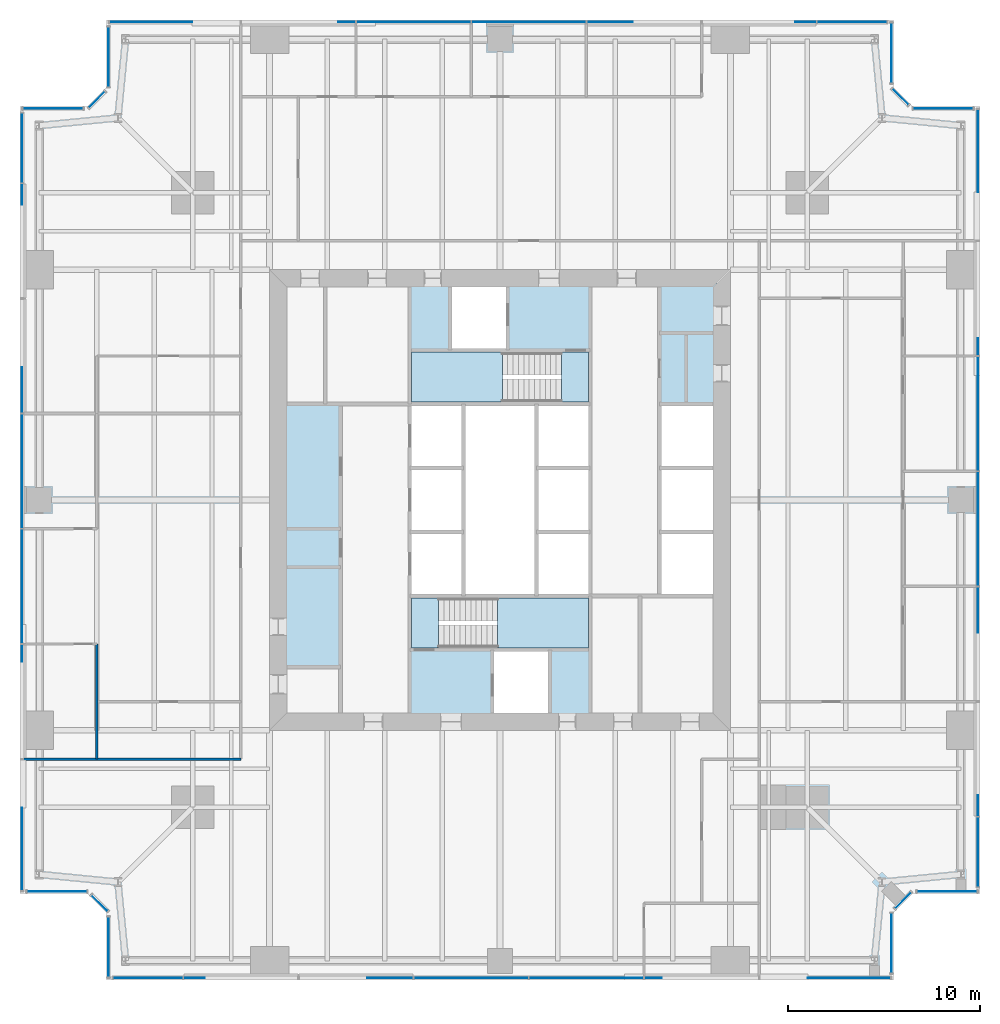
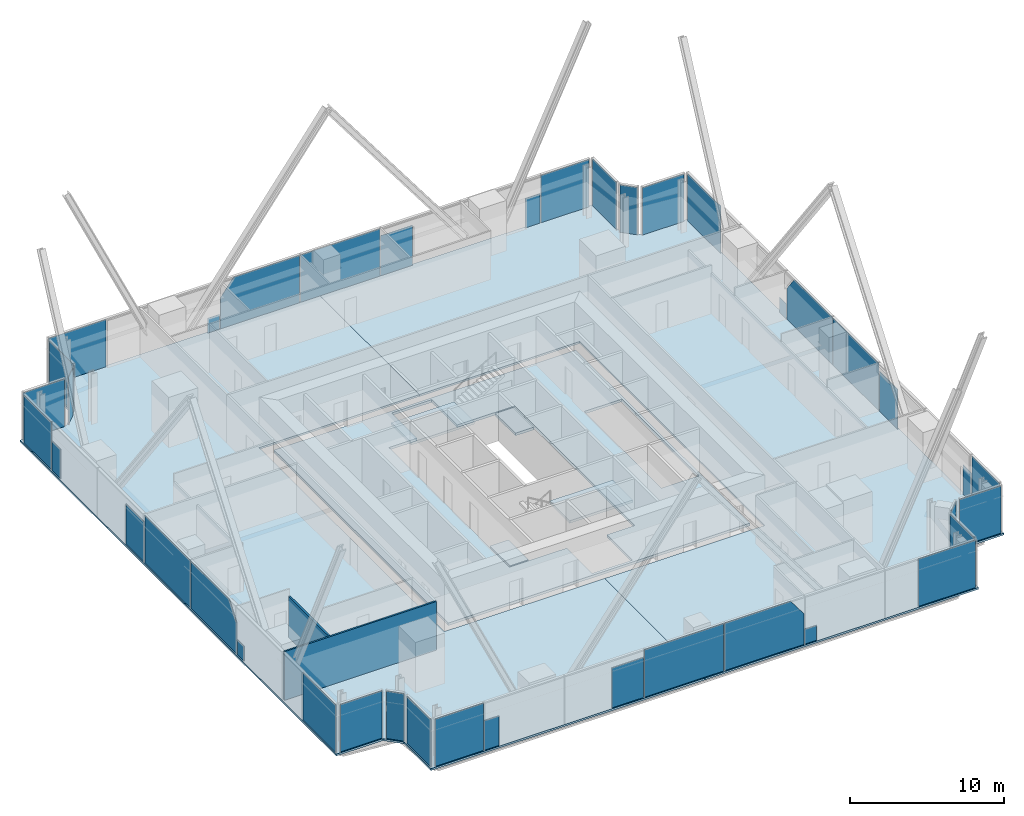
# One storey, part 8 of 14: 40 plates, 7 slabs, 2 walls, 18 elements without a shape of their own.
"""IFC4 building model written with IfcOpenShell, lengths in metres."""

from ifc_helpers import new_model, si_unit, direction, frame, frame_2d, origin, origin_2d, place, context, subcontext, project, spatial, polyline, rectangle, outline, extrude, material, layer, layer_set, type_object, element, aggregate, save


model = new_model("IFC4")

# Units and contexts
model_context = context("Model", 3, precision=1e-05, world=origin(), true_north=direction((0.0, 1.0)))
body_context = subcontext(model_context, "Body", "Model", "MODEL_VIEW")
ifc_project = project(units=[si_unit("LENGTHUNIT", "METRE"), si_unit("AREAUNIT", "SQUARE_METRE"), si_unit("VOLUMEUNIT", "CUBIC_METRE"), si_unit("PLANEANGLEUNIT", "RADIAN"), si_unit("MASSUNIT", "GRAM", prefix="KILO")], contexts=[model_context])

# Site, building, storey
site_placement = place(None, origin())
site = spatial("IfcSite", under=ifc_project, at=site_placement, CompositionType="ELEMENT")
building_placement = place(site_placement, origin())
building = spatial("IfcBuilding", under=site, at=building_placement, Name="Fenwick Lantern Interchange", CompositionType="ELEMENT")
storey_placement = place(building_placement, frame((0.0, 0.0, 130.39990234375)))
storey = spatial("IfcBuildingStorey", under=building, at=storey_placement, Name="L30", CompositionType="ELEMENT", Elevation=130.39990234375)

# Slabs
ifc_material_1 = material(Name="Concrete f'c 35 MPa", Category="concrete")
ifc_layer_1 = layer(ifc_material_1, 0.199951171875)
ifc_layer_set_1 = layer_set([ifc_layer_1], Name="CORE FLOOR SLAB 200")
slab_type_1 = type_object("IfcSlabType", Name="CORE FLOOR SLAB 200", PredefinedType="FLOOR", material=ifc_layer_set_1)
slab_1_placement = place(storey_placement, frame((0.0, 0.0, -0.199951171875)))
element("IfcSlab", 1, at=slab_1_placement, inside=storey, type_object=slab_type_1, Name="L30/SLAB/CORE", PredefinedType="FLOOR", context=body_context, shape_type="SweptSolid", body=[
    extrude(outline(polyline([(13.699951171875, 36.300048828125), (36.300048828125, 36.300048828125), (36.300048828125, 13.699951171875), (13.699951171875, 13.699951171875), (13.699951171875, 36.300048828125)]), holes=[polyline([(29.699951171875, 17.199951171875), (29.699951171875, 20.0), (29.699951171875, 23.333251953125), (29.699951171875, 26.666748046875), (29.699951171875, 30.0), (29.699951171875, 32.800048828125), (25.39990234375, 32.800048828125), (25.39990234375, 36.10009765625), (22.39990234375, 36.10009765625), (22.39990234375, 32.800048828125), (20.300048828125, 32.800048828125), (20.300048828125, 30.0), (20.300048828125, 26.666748046875), (20.300048828125, 23.333251953125), (20.300048828125, 20.0), (20.300048828125, 17.199951171875), (24.60009765625, 17.199951171875), (24.60009765625, 13.89990234375), (27.60009765625, 13.89990234375), (27.60009765625, 17.199951171875), (29.699951171875, 17.199951171875)]), polyline([(33.300048828125, 23.333251953125), (33.300048828125, 20.0), (36.10009765625, 20.0), (36.10009765625, 23.333251953125), (36.10009765625, 26.666748046875), (36.10009765625, 30.0), (33.300048828125, 30.0), (33.300048828125, 26.666748046875), (33.300048828125, 23.333251953125)])]), origin(), (0.0, 0.0, 1.0), 0.199951171875),
])
ifc_material_2 = material(Name="Concrete f'c 35 MPa", Category="concrete")
ifc_layer_2 = layer(ifc_material_2, 0.14990234375)
ifc_layer_set_2 = layer_set([ifc_layer_2], Name="Concrete f'c 35 MPa")
slab_type_2 = type_object("IfcSlabType", Name="FLOOR SLAB 150", PredefinedType="FLOOR", material=ifc_layer_set_2)
slab_2_placement = place(storey_placement, frame((0.0, 0.0, -0.14990234375)))
element("IfcSlab", 2, at=slab_2_placement, inside=storey, type_object=slab_type_2, Name="L30/SLAB/FW", PredefinedType="FLOOR", context=body_context, shape_type="SweptSolid", body=[
    extrude(outline(polyline([(4.5, 0.0), (4.5, 3.5), (3.5, 4.5), (0.0, 4.5), (0.0, 45.5), (3.5, 45.5), (4.5, 46.5), (4.5, 50.0), (25.0, 50.0), (25.0, 37.0), (13.0, 37.0), (13.0, 13.0), (25.0, 13.0), (25.0, 0.0), (4.5, 0.0)])), origin(), (0.0, 0.0, 1.0), 0.14990234375),
])
slab_3_placement = place(storey_placement, frame((0.0, 0.0, -0.14990234375)))
element("IfcSlab", 3, at=slab_3_placement, inside=storey, type_object=slab_type_2, Name="L30/SLAB/FE", PredefinedType="FLOOR", context=body_context, shape_type="SweptSolid", body=[
    extrude(outline(polyline([(45.5, 50.0), (45.5, 46.5), (46.5, 45.5), (50.0, 45.5), (50.0, 4.5), (46.5, 4.5), (45.5, 3.5), (45.5, 0.0), (25.0, 0.0), (25.0, 13.0), (37.0, 13.0), (37.0, 37.0), (25.0, 37.0), (25.0, 50.0), (45.5, 50.0)])), origin(), (0.0, 0.0, 1.0), 0.14990234375),
])

# Curtain wall, plates
ifc_material_3 = material(Name="Aluminium curtain wall frame", Category="aluminium")
curtain_wall_type = type_object("IfcCurtainWallType", Name="OFFICE CURTAIN WALL", PredefinedType="USERDEFINED", material=ifc_material_3)
curtain_wall_1_placement = place(storey_placement, origin())
curtain_wall_1 = element("IfcCurtainWall", 4, at=curtain_wall_1_placement, inside=storey, type_object=curtain_wall_type, Name="Office curtain wall 01", ObjectType="OFFICE CURTAIN WALL", PredefinedType="USERDEFINED")
ifc_material_4 = material(Name="Vision glass, clear low-iron double glazed", Category="glass")
ifc_layer_3 = layer(ifc_material_4, 0.031982421875)
ifc_layer_set_3 = layer_set([ifc_layer_3], Name="OFFICE CURTAIN WALL PANEL 32")
plate_type = type_object("IfcPlateType", Name="OFFICE CURTAIN WALL PANEL 32", PredefinedType="CURTAIN_PANEL", material=ifc_layer_set_3)
plate_1_placement = place(storey_placement, frame((6.666259765625, 0.10009765625, 0.0), z_axis=(0.0, 0.0, 1.0), x_axis=(1.0, 0.0, 0.0)))
plate_1 = element("IfcPlate", 5, at=plate_1_placement, type_object=plate_type, Name="L30/CW/01/P00", PredefinedType="CURTAIN_PANEL", context=body_context, shape_type="SweptSolid", body=[
    extrude(rectangle(XDim=3.6025390625, YDim=0.031982421875, at=origin_2d()), origin(), (0.0, 0.0, 1.0), 3.75),
])
plate_2_placement = place(storey_placement, frame((4.60009765625, 0.10009765625, 0.0), z_axis=(0.0, 0.0, 1.0), x_axis=(1.0, 0.0, 0.0)))
plate_2 = element("IfcPlate", 6, at=plate_2_placement, type_object=plate_type, Name="L30/CW/01/P01a", PredefinedType="CURTAIN_PANEL", context=body_context, shape_type="SweptSolid", body=[
    extrude(outline(polyline([(3.9326171875, 0.0), (5.032470703125, 0.0), (5.032470703125, 2.337158203125), (3.9326171875, 2.337158203125), (3.9326171875, 0.0)])), frame((0.0, 0.01611328125, 0.0), z_axis=(0.0, -1.0, 0.0), x_axis=(1.0, 0.0, 0.0)), (0.0, 0.0, 1.0), 0.031982421875),
])
plate_3_placement = place(storey_placement, frame((4.60009765625, 0.10009765625, 0.0), z_axis=(0.0, 0.0, 1.0), x_axis=(1.0, 0.0, 0.0)))
plate_3 = element("IfcPlate", 7, at=plate_3_placement, type_object=plate_type, Name="L30/CW/01/P02a", PredefinedType="CURTAIN_PANEL", context=body_context, shape_type="SweptSolid", body=[
    extrude(outline(polyline([(13.484619140625, 0.0), (15.867431640625, 0.0), (15.867431640625, 3.17333984375), (13.484619140625, 3.17333984375), (13.484619140625, 0.0)])), frame((0.0, 0.01611328125, 0.0), z_axis=(0.0, -1.0, 0.0), x_axis=(1.0, 0.0, 0.0)), (0.0, 0.0, 1.0), 0.031982421875),
])
plate_4_placement = place(storey_placement, frame((23.5, 0.10009765625, 0.0), z_axis=(0.0, 0.0, 1.0), x_axis=(1.0, 0.0, 0.0)))
plate_4 = element("IfcPlate", 8, at=plate_4_placement, type_object=plate_type, Name="L30/CW/01/P03", PredefinedType="CURTAIN_PANEL", context=body_context, shape_type="SweptSolid", body=[
    extrude(rectangle(XDim=5.93505859375, YDim=0.031982421875, at=origin_2d()), origin(), (0.0, 0.0, 1.0), 3.75),
])
plate_5_placement = place(storey_placement, frame((4.60009765625, 0.10009765625, 0.0), z_axis=(0.0, 0.0, 1.0), x_axis=(1.0, 0.0, 0.0)))
plate_5 = element("IfcPlate", 9, at=plate_5_placement, type_object=plate_type, Name="L30/CW/01/P04a", PredefinedType="CURTAIN_PANEL", context=body_context, shape_type="SweptSolid", body=[
    extrude(outline(polyline([(21.9326171875, 0.0), (27.867431640625, 0.0), (27.867431640625, 2.4375), (26.883056640625, 3.75), (21.9326171875, 3.75), (21.9326171875, 0.0)])), frame((0.0, 0.01611328125, 0.0), z_axis=(0.0, -1.0, 0.0), x_axis=(1.0, 0.0, 0.0)), (0.0, 0.0, 1.0), 0.031982421875),
])
plate_6_placement = place(storey_placement, frame((4.60009765625, 0.10009765625, 0.0), z_axis=(0.0, 0.0, 1.0), x_axis=(1.0, 0.0, 0.0)))
plate_6 = element("IfcPlate", 10, at=plate_6_placement, type_object=plate_type, Name="L30/CW/01/P05a", PredefinedType="CURTAIN_PANEL", context=body_context, shape_type="SweptSolid", body=[
    extrude(outline(polyline([(27.9326171875, 0.0), (28.8125, 0.0), (28.8125, 1.177490234375), (27.9326171875, 1.177490234375), (27.9326171875, 0.0)])), frame((0.0, 0.01611328125, 0.0), z_axis=(0.0, -1.0, 0.0), x_axis=(1.0, 0.0, 0.0)), (0.0, 0.0, 1.0), 0.031982421875),
])
plate_7_placement = place(storey_placement, frame((4.60009765625, 0.10009765625, 0.0), z_axis=(0.0, 0.0, 1.0), x_axis=(1.0, 0.0, 0.0)))
plate_7 = element("IfcPlate", 11, at=plate_7_placement, type_object=plate_type, Name="L30/CW/01/P06a", PredefinedType="CURTAIN_PANEL", context=body_context, shape_type="SweptSolid", body=[
    extrude(outline(polyline([(36.431884765625, 0.0), (40.735107421875, 0.0), (40.735107421875, 3.75), (36.431884765625, 3.75), (36.431884765625, 0.0)])), frame((0.0, 0.01611328125, 0.0), z_axis=(0.0, -1.0, 0.0), x_axis=(1.0, 0.0, 0.0)), (0.0, 0.0, 1.0), 0.031982421875),
])
aggregate(curtain_wall_1, [plate_1, plate_2, plate_3, plate_4, plate_5, plate_6, plate_7])

# Curtain wall, plate
curtain_wall_2_placement = place(storey_placement, origin())
curtain_wall_2 = element("IfcCurtainWall", 12, at=curtain_wall_2_placement, inside=storey, type_object=curtain_wall_type, Name="Office curtain wall 02", ObjectType="OFFICE CURTAIN WALL", PredefinedType="USERDEFINED")
plate_8_placement = place(storey_placement, frame((45.39990234375, 1.920654296875, 0.0), z_axis=(0.0, 0.0, 1.0), x_axis=(0.0, 1.0, 0.0)))
plate_8 = element("IfcPlate", 13, at=plate_8_placement, type_object=plate_type, Name="L30/CW/02/P00", PredefinedType="CURTAIN_PANEL", context=body_context, shape_type="SweptSolid", body=[
    extrude(rectangle(XDim=3.111328125, YDim=0.031982421875, at=origin_2d()), origin(), (0.0, 0.0, 1.0), 3.75),
])
aggregate(curtain_wall_2, [plate_8])

curtain_wall_3_placement = place(storey_placement, origin())
curtain_wall_3 = element("IfcCurtainWall", 14, at=curtain_wall_3_placement, inside=storey, type_object=curtain_wall_type, Name="Office curtain wall 03", ObjectType="OFFICE CURTAIN WALL", PredefinedType="USERDEFINED")
plate_9_placement = place(storey_placement, frame((46.0, 4.141357421875, 0.0), z_axis=(0.0, 0.0, 1.0), x_axis=(0.707106781187, 0.707106781187, 0.0)))
plate_9 = element("IfcPlate", 15, at=plate_9_placement, type_object=plate_type, Name="L30/CW/03/P00", PredefinedType="CURTAIN_PANEL", context=body_context, shape_type="SweptSolid", body=[
    extrude(rectangle(XDim=1.1669921875, YDim=0.031982421875, at=origin_2d()), origin(), (0.0, 0.0, 1.0), 3.75),
])
aggregate(curtain_wall_3, [plate_9])

curtain_wall_4_placement = place(storey_placement, origin())
curtain_wall_4 = element("IfcCurtainWall", 16, at=curtain_wall_4_placement, inside=storey, type_object=curtain_wall_type, Name="Office curtain wall 04", ObjectType="OFFICE CURTAIN WALL", PredefinedType="USERDEFINED")
plate_10_placement = place(storey_placement, frame((48.279296875, 4.60009765625, 0.0), z_axis=(0.0, 0.0, 1.0), x_axis=(1.0, 0.0, 0.0)))
plate_10 = element("IfcPlate", 17, at=plate_10_placement, type_object=plate_type, Name="L30/CW/04/P00", PredefinedType="CURTAIN_PANEL", context=body_context, shape_type="SweptSolid", body=[
    extrude(rectangle(XDim=3.111328125, YDim=0.031982421875, at=origin_2d()), origin(), (0.0, 0.0, 1.0), 3.75),
])
aggregate(curtain_wall_4, [plate_10])

# Curtain wall, plates
curtain_wall_5_placement = place(storey_placement, origin())
curtain_wall_5 = element("IfcCurtainWall", 18, at=curtain_wall_5_placement, inside=storey, type_object=curtain_wall_type, Name="Office curtain wall 05", ObjectType="OFFICE CURTAIN WALL", PredefinedType="USERDEFINED")
plate_11_placement = place(storey_placement, frame((49.89990234375, 6.666259765625, 0.0), z_axis=(0.0, 0.0, 1.0), x_axis=(0.0, 1.0, 0.0)))
plate_11 = element("IfcPlate", 19, at=plate_11_placement, type_object=plate_type, Name="L30/CW/05/P00", PredefinedType="CURTAIN_PANEL", context=body_context, shape_type="SweptSolid", body=[
    extrude(rectangle(XDim=3.6025390625, YDim=0.031982421875, at=origin_2d()), origin(), (0.0, 0.0, 1.0), 3.75),
])
plate_12_placement = place(storey_placement, frame((49.89990234375, 4.60009765625, 0.0), z_axis=(0.0, 0.0, 1.0), x_axis=(0.0, 1.0, 0.0)))
plate_12 = element("IfcPlate", 20, at=plate_12_placement, type_object=plate_type, Name="L30/CW/05/P01a", PredefinedType="CURTAIN_PANEL", context=body_context, shape_type="SweptSolid", body=[
    extrude(outline(polyline([(3.9326171875, 0.0), (5.032470703125, 0.0), (5.032470703125, 2.337158203125), (3.9326171875, 2.337158203125), (3.9326171875, 0.0)])), frame((0.0, 0.01611328125, 0.0), z_axis=(0.0, -1.0, 0.0), x_axis=(1.0, 0.0, 0.0)), (0.0, 0.0, 1.0), 0.031982421875),
])
plate_13_placement = place(storey_placement, frame((49.89990234375, 4.60009765625, 0.0), z_axis=(0.0, 0.0, 1.0), x_axis=(0.0, 1.0, 0.0)))
plate_13 = element("IfcPlate", 21, at=plate_13_placement, type_object=plate_type, Name="L30/CW/05/P02a", PredefinedType="CURTAIN_PANEL", context=body_context, shape_type="SweptSolid", body=[
    extrude(outline(polyline([(13.484619140625, 0.0), (15.867431640625, 0.0), (15.867431640625, 3.17333984375), (13.484619140625, 3.17333984375), (13.484619140625, 0.0)])), frame((0.0, 0.01611328125, 0.0), z_axis=(0.0, -1.0, 0.0), x_axis=(1.0, 0.0, 0.0)), (0.0, 0.0, 1.0), 0.031982421875),
])
plate_14_placement = place(storey_placement, frame((49.89990234375, 23.5, 0.0), z_axis=(0.0, 0.0, 1.0), x_axis=(0.0, 1.0, 0.0)))
plate_14 = element("IfcPlate", 22, at=plate_14_placement, type_object=plate_type, Name="L30/CW/05/P03", PredefinedType="CURTAIN_PANEL", context=body_context, shape_type="SweptSolid", body=[
    extrude(rectangle(XDim=5.93505859375, YDim=0.031982421875, at=origin_2d()), origin(), (0.0, 0.0, 1.0), 3.75),
])
plate_15_placement = place(storey_placement, frame((49.89990234375, 4.60009765625, 0.0), z_axis=(0.0, 0.0, 1.0), x_axis=(0.0, 1.0, 0.0)))
plate_15 = element("IfcPlate", 23, at=plate_15_placement, type_object=plate_type, Name="L30/CW/05/P04a", PredefinedType="CURTAIN_PANEL", context=body_context, shape_type="SweptSolid", body=[
    extrude(outline(polyline([(21.9326171875, 0.0), (27.867431640625, 0.0), (27.867431640625, 2.4375), (26.883056640625, 3.75), (21.9326171875, 3.75), (21.9326171875, 0.0)])), frame((0.0, 0.01611328125, 0.0), z_axis=(0.0, -1.0, 0.0), x_axis=(1.0, 0.0, 0.0)), (0.0, 0.0, 1.0), 0.031982421875),
])
plate_16_placement = place(storey_placement, frame((49.89990234375, 4.60009765625, 0.0), z_axis=(0.0, 0.0, 1.0), x_axis=(0.0, 1.0, 0.0)))
plate_16 = element("IfcPlate", 24, at=plate_16_placement, type_object=plate_type, Name="L30/CW/05/P05a", PredefinedType="CURTAIN_PANEL", context=body_context, shape_type="SweptSolid", body=[
    extrude(outline(polyline([(27.9326171875, 0.0), (28.8125, 0.0), (28.8125, 1.177490234375), (27.9326171875, 1.177490234375), (27.9326171875, 0.0)])), frame((0.0, 0.01611328125, 0.0), z_axis=(0.0, -1.0, 0.0), x_axis=(1.0, 0.0, 0.0)), (0.0, 0.0, 1.0), 0.031982421875),
])
plate_17_placement = place(storey_placement, frame((49.89990234375, 4.60009765625, 0.0), z_axis=(0.0, 0.0, 1.0), x_axis=(0.0, 1.0, 0.0)))
plate_17 = element("IfcPlate", 25, at=plate_17_placement, type_object=plate_type, Name="L30/CW/05/P06a", PredefinedType="CURTAIN_PANEL", context=body_context, shape_type="SweptSolid", body=[
    extrude(outline(polyline([(36.431884765625, 0.0), (40.735107421875, 0.0), (40.735107421875, 3.75), (36.431884765625, 3.75), (36.431884765625, 0.0)])), frame((0.0, 0.01611328125, 0.0), z_axis=(0.0, -1.0, 0.0), x_axis=(1.0, 0.0, 0.0)), (0.0, 0.0, 1.0), 0.031982421875),
])
aggregate(curtain_wall_5, [plate_11, plate_12, plate_13, plate_14, plate_15, plate_16, plate_17])

# Curtain wall, plate
curtain_wall_6_placement = place(storey_placement, origin())
curtain_wall_6 = element("IfcCurtainWall", 26, at=curtain_wall_6_placement, inside=storey, type_object=curtain_wall_type, Name="Office curtain wall 06", ObjectType="OFFICE CURTAIN WALL", PredefinedType="USERDEFINED")
plate_18_placement = place(storey_placement, frame((48.079345703125, 45.39990234375, 0.0), z_axis=(0.0, 0.0, 1.0), x_axis=(-1.0, 0.0, 0.0)))
plate_18 = element("IfcPlate", 27, at=plate_18_placement, type_object=plate_type, Name="L30/CW/06/P00", PredefinedType="CURTAIN_PANEL", context=body_context, shape_type="SweptSolid", body=[
    extrude(rectangle(XDim=3.111328125, YDim=0.031982421875, at=origin_2d()), origin(), (0.0, 0.0, 1.0), 3.75),
])
aggregate(curtain_wall_6, [plate_18])

curtain_wall_7_placement = place(storey_placement, origin())
curtain_wall_7 = element("IfcCurtainWall", 28, at=curtain_wall_7_placement, inside=storey, type_object=curtain_wall_type, Name="Office curtain wall 07", ObjectType="OFFICE CURTAIN WALL", PredefinedType="USERDEFINED")
plate_19_placement = place(storey_placement, frame((45.858642578125, 46.0, 0.0), z_axis=(0.0, 0.0, 1.0), x_axis=(-0.707106781187, 0.707106781187, 0.0)))
plate_19 = element("IfcPlate", 29, at=plate_19_placement, type_object=plate_type, Name="L30/CW/07/P00", PredefinedType="CURTAIN_PANEL", context=body_context, shape_type="SweptSolid", body=[
    extrude(rectangle(XDim=1.1669921875, YDim=0.031982421875, at=origin_2d()), origin(), (0.0, 0.0, 1.0), 3.75),
])
aggregate(curtain_wall_7, [plate_19])

curtain_wall_8_placement = place(storey_placement, origin())
curtain_wall_8 = element("IfcCurtainWall", 30, at=curtain_wall_8_placement, inside=storey, type_object=curtain_wall_type, Name="Office curtain wall 08", ObjectType="OFFICE CURTAIN WALL", PredefinedType="USERDEFINED")
plate_20_placement = place(storey_placement, frame((45.39990234375, 48.279296875, 0.0), z_axis=(0.0, 0.0, 1.0), x_axis=(0.0, 1.0, 0.0)))
plate_20 = element("IfcPlate", 31, at=plate_20_placement, type_object=plate_type, Name="L30/CW/08/P00", PredefinedType="CURTAIN_PANEL", context=body_context, shape_type="SweptSolid", body=[
    extrude(rectangle(XDim=3.111328125, YDim=0.031982421875, at=origin_2d()), origin(), (0.0, 0.0, 1.0), 3.75),
])
aggregate(curtain_wall_8, [plate_20])

# Curtain wall, plates
curtain_wall_9_placement = place(storey_placement, origin())
curtain_wall_9 = element("IfcCurtainWall", 32, at=curtain_wall_9_placement, inside=storey, type_object=curtain_wall_type, Name="Office curtain wall 09", ObjectType="OFFICE CURTAIN WALL", PredefinedType="USERDEFINED")
plate_21_placement = place(storey_placement, frame((43.333740234375, 49.89990234375, 0.0), z_axis=(0.0, 0.0, 1.0), x_axis=(-1.0, 0.0, 0.0)))
plate_21 = element("IfcPlate", 33, at=plate_21_placement, type_object=plate_type, Name="L30/CW/09/P00", PredefinedType="CURTAIN_PANEL", context=body_context, shape_type="SweptSolid", body=[
    extrude(rectangle(XDim=3.6025390625, YDim=0.031982421875, at=origin_2d()), origin(), (0.0, 0.0, 1.0), 3.75),
])
plate_22_placement = place(storey_placement, frame((45.39990234375, 49.89990234375, 0.0), z_axis=(0.0, 0.0, 1.0), x_axis=(-1.0, 0.0, 0.0)))
plate_22 = element("IfcPlate", 34, at=plate_22_placement, type_object=plate_type, Name="L30/CW/09/P01a", PredefinedType="CURTAIN_PANEL", context=body_context, shape_type="SweptSolid", body=[
    extrude(outline(polyline([(3.9326171875, 0.0), (5.032470703125, 0.0), (5.032470703125, 2.337158203125), (3.9326171875, 2.337158203125), (3.9326171875, 0.0)])), frame((0.0, 0.01611328125, 0.0), z_axis=(0.0, -1.0, 0.0), x_axis=(1.0, 0.0, 0.0)), (0.0, 0.0, 1.0), 0.031982421875),
])
plate_23_placement = place(storey_placement, frame((45.39990234375, 49.89990234375, 0.0), z_axis=(0.0, 0.0, 1.0), x_axis=(-1.0, 0.0, 0.0)))
plate_23 = element("IfcPlate", 35, at=plate_23_placement, type_object=plate_type, Name="L30/CW/09/P02a", PredefinedType="CURTAIN_PANEL", context=body_context, shape_type="SweptSolid", body=[
    extrude(outline(polyline([(13.484619140625, 0.0), (15.867431640625, 0.0), (15.867431640625, 3.17333984375), (13.484619140625, 3.17333984375), (13.484619140625, 0.0)])), frame((0.0, 0.01611328125, 0.0), z_axis=(0.0, -1.0, 0.0), x_axis=(1.0, 0.0, 0.0)), (0.0, 0.0, 1.0), 0.031982421875),
])
plate_24_placement = place(storey_placement, frame((26.5, 49.89990234375, 0.0), z_axis=(0.0, 0.0, 1.0), x_axis=(-1.0, 0.0, 0.0)))
plate_24 = element("IfcPlate", 36, at=plate_24_placement, type_object=plate_type, Name="L30/CW/09/P03", PredefinedType="CURTAIN_PANEL", context=body_context, shape_type="SweptSolid", body=[
    extrude(rectangle(XDim=5.93505859375, YDim=0.031982421875, at=origin_2d()), origin(), (0.0, 0.0, 1.0), 3.75),
])
plate_25_placement = place(storey_placement, frame((45.39990234375, 49.89990234375, 0.0), z_axis=(0.0, 0.0, 1.0), x_axis=(-1.0, 0.0, 0.0)))
plate_25 = element("IfcPlate", 37, at=plate_25_placement, type_object=plate_type, Name="L30/CW/09/P04a", PredefinedType="CURTAIN_PANEL", context=body_context, shape_type="SweptSolid", body=[
    extrude(outline(polyline([(21.9326171875, 0.0), (27.867431640625, 0.0), (27.867431640625, 2.4375), (26.883056640625, 3.75), (21.9326171875, 3.75), (21.9326171875, 0.0)])), frame((0.0, 0.01611328125, 0.0), z_axis=(0.0, -1.0, 0.0), x_axis=(1.0, 0.0, 0.0)), (0.0, 0.0, 1.0), 0.031982421875),
])
plate_26_placement = place(storey_placement, frame((45.39990234375, 49.89990234375, 0.0), z_axis=(0.0, 0.0, 1.0), x_axis=(-1.0, 0.0, 0.0)))
plate_26 = element("IfcPlate", 38, at=plate_26_placement, type_object=plate_type, Name="L30/CW/09/P05a", PredefinedType="CURTAIN_PANEL", context=body_context, shape_type="SweptSolid", body=[
    extrude(outline(polyline([(27.9326171875, 0.0), (28.8125, 0.0), (28.8125, 1.177490234375), (27.9326171875, 1.177490234375), (27.9326171875, 0.0)])), frame((0.0, 0.01611328125, 0.0), z_axis=(0.0, -1.0, 0.0), x_axis=(1.0, 0.0, 0.0)), (0.0, 0.0, 1.0), 0.031982421875),
])
plate_27_placement = place(storey_placement, frame((45.39990234375, 49.89990234375, 0.0), z_axis=(0.0, 0.0, 1.0), x_axis=(-1.0, 0.0, 0.0)))
plate_27 = element("IfcPlate", 39, at=plate_27_placement, type_object=plate_type, Name="L30/CW/09/P06a", PredefinedType="CURTAIN_PANEL", context=body_context, shape_type="SweptSolid", body=[
    extrude(outline(polyline([(36.431884765625, 0.0), (40.735107421875, 0.0), (40.735107421875, 3.75), (36.431884765625, 3.75), (36.431884765625, 0.0)])), frame((0.0, 0.01611328125, 0.0), z_axis=(0.0, -1.0, 0.0), x_axis=(1.0, 0.0, 0.0)), (0.0, 0.0, 1.0), 0.031982421875),
])
aggregate(curtain_wall_9, [plate_21, plate_22, plate_23, plate_24, plate_25, plate_26, plate_27])

# Curtain wall, plate
curtain_wall_10_placement = place(storey_placement, origin())
curtain_wall_10 = element("IfcCurtainWall", 40, at=curtain_wall_10_placement, inside=storey, type_object=curtain_wall_type, Name="Office curtain wall 10", ObjectType="OFFICE CURTAIN WALL", PredefinedType="USERDEFINED")
plate_28_placement = place(storey_placement, frame((4.60009765625, 48.079345703125, 0.0), z_axis=(0.0, 0.0, 1.0), x_axis=(0.0, -1.0, 0.0)))
plate_28 = element("IfcPlate", 41, at=plate_28_placement, type_object=plate_type, Name="L30/CW/10/P00", PredefinedType="CURTAIN_PANEL", context=body_context, shape_type="SweptSolid", body=[
    extrude(rectangle(XDim=3.111328125, YDim=0.031982421875, at=origin_2d()), origin(), (0.0, 0.0, 1.0), 3.75),
])
aggregate(curtain_wall_10, [plate_28])

curtain_wall_11_placement = place(storey_placement, origin())
curtain_wall_11 = element("IfcCurtainWall", 42, at=curtain_wall_11_placement, inside=storey, type_object=curtain_wall_type, Name="Office curtain wall 11", ObjectType="OFFICE CURTAIN WALL", PredefinedType="USERDEFINED")
plate_29_placement = place(storey_placement, frame((4.0, 45.858642578125, 0.0), z_axis=(0.0, 0.0, 1.0), x_axis=(-0.707106781187, -0.707106781187, 0.0)))
plate_29 = element("IfcPlate", 43, at=plate_29_placement, type_object=plate_type, Name="L30/CW/11/P00", PredefinedType="CURTAIN_PANEL", context=body_context, shape_type="SweptSolid", body=[
    extrude(rectangle(XDim=1.1669921875, YDim=0.031982421875, at=origin_2d()), origin(), (0.0, 0.0, 1.0), 3.75),
])
aggregate(curtain_wall_11, [plate_29])

curtain_wall_12_placement = place(storey_placement, origin())
curtain_wall_12 = element("IfcCurtainWall", 44, at=curtain_wall_12_placement, inside=storey, type_object=curtain_wall_type, Name="Office curtain wall 12", ObjectType="OFFICE CURTAIN WALL", PredefinedType="USERDEFINED")
plate_30_placement = place(storey_placement, frame((1.720703125, 45.39990234375, 0.0), z_axis=(0.0, 0.0, 1.0), x_axis=(-1.0, 0.0, 0.0)))
plate_30 = element("IfcPlate", 45, at=plate_30_placement, type_object=plate_type, Name="L30/CW/12/P00", PredefinedType="CURTAIN_PANEL", context=body_context, shape_type="SweptSolid", body=[
    extrude(rectangle(XDim=3.111328125, YDim=0.031982421875, at=origin_2d()), origin(), (0.0, 0.0, 1.0), 3.75),
])
aggregate(curtain_wall_12, [plate_30])

# Curtain wall, plates
curtain_wall_13_placement = place(storey_placement, origin())
curtain_wall_13 = element("IfcCurtainWall", 46, at=curtain_wall_13_placement, inside=storey, type_object=curtain_wall_type, Name="Office curtain wall 13", ObjectType="OFFICE CURTAIN WALL", PredefinedType="USERDEFINED")
plate_31_placement = place(storey_placement, frame((0.10009765625, 43.333740234375, 0.0), z_axis=(0.0, 0.0, 1.0), x_axis=(0.0, -1.0, 0.0)))
plate_31 = element("IfcPlate", 47, at=plate_31_placement, type_object=plate_type, Name="L30/CW/13/P00", PredefinedType="CURTAIN_PANEL", context=body_context, shape_type="SweptSolid", body=[
    extrude(rectangle(XDim=3.6025390625, YDim=0.031982421875, at=origin_2d()), origin(), (0.0, 0.0, 1.0), 3.75),
])
plate_32_placement = place(storey_placement, frame((0.10009765625, 45.39990234375, 0.0), z_axis=(0.0, 0.0, 1.0), x_axis=(0.0, -1.0, 0.0)))
plate_32 = element("IfcPlate", 48, at=plate_32_placement, type_object=plate_type, Name="L30/CW/13/P01a", PredefinedType="CURTAIN_PANEL", context=body_context, shape_type="SweptSolid", body=[
    extrude(outline(polyline([(3.9326171875, 0.0), (5.032470703125, 0.0), (5.032470703125, 2.337158203125), (3.9326171875, 2.337158203125), (3.9326171875, 0.0)])), frame((0.0, 0.01611328125, 0.0), z_axis=(0.0, -1.0, 0.0), x_axis=(1.0, 0.0, 0.0)), (0.0, 0.0, 1.0), 0.031982421875),
])
plate_33_placement = place(storey_placement, frame((0.10009765625, 45.39990234375, 0.0), z_axis=(0.0, 0.0, 1.0), x_axis=(0.0, -1.0, 0.0)))
plate_33 = element("IfcPlate", 49, at=plate_33_placement, type_object=plate_type, Name="L30/CW/13/P02a", PredefinedType="CURTAIN_PANEL", context=body_context, shape_type="SweptSolid", body=[
    extrude(outline(polyline([(13.484619140625, 0.0), (15.867431640625, 0.0), (15.867431640625, 3.17333984375), (13.484619140625, 3.17333984375), (13.484619140625, 0.0)])), frame((0.0, 0.01611328125, 0.0), z_axis=(0.0, -1.0, 0.0), x_axis=(1.0, 0.0, 0.0)), (0.0, 0.0, 1.0), 0.031982421875),
])
plate_34_placement = place(storey_placement, frame((0.10009765625, 26.5, 0.0), z_axis=(0.0, 0.0, 1.0), x_axis=(0.0, -1.0, 0.0)))
plate_34 = element("IfcPlate", 50, at=plate_34_placement, type_object=plate_type, Name="L30/CW/13/P03", PredefinedType="CURTAIN_PANEL", context=body_context, shape_type="SweptSolid", body=[
    extrude(rectangle(XDim=5.93505859375, YDim=0.031982421875, at=origin_2d()), origin(), (0.0, 0.0, 1.0), 3.75),
])
plate_35_placement = place(storey_placement, frame((0.10009765625, 45.39990234375, 0.0), z_axis=(0.0, 0.0, 1.0), x_axis=(0.0, -1.0, 0.0)))
plate_35 = element("IfcPlate", 51, at=plate_35_placement, type_object=plate_type, Name="L30/CW/13/P04a", PredefinedType="CURTAIN_PANEL", context=body_context, shape_type="SweptSolid", body=[
    extrude(outline(polyline([(21.9326171875, 0.0), (27.867431640625, 0.0), (27.867431640625, 2.4375), (26.883056640625, 3.75), (21.9326171875, 3.75), (21.9326171875, 0.0)])), frame((0.0, 0.01611328125, 0.0), z_axis=(0.0, -1.0, 0.0), x_axis=(1.0, 0.0, 0.0)), (0.0, 0.0, 1.0), 0.031982421875),
])
plate_36_placement = place(storey_placement, frame((0.10009765625, 45.39990234375, 0.0), z_axis=(0.0, 0.0, 1.0), x_axis=(0.0, -1.0, 0.0)))
plate_36 = element("IfcPlate", 52, at=plate_36_placement, type_object=plate_type, Name="L30/CW/13/P05a", PredefinedType="CURTAIN_PANEL", context=body_context, shape_type="SweptSolid", body=[
    extrude(outline(polyline([(27.9326171875, 0.0), (28.8125, 0.0), (28.8125, 1.177490234375), (27.9326171875, 1.177490234375), (27.9326171875, 0.0)])), frame((0.0, 0.01611328125, 0.0), z_axis=(0.0, -1.0, 0.0), x_axis=(1.0, 0.0, 0.0)), (0.0, 0.0, 1.0), 0.031982421875),
])
plate_37_placement = place(storey_placement, frame((0.10009765625, 45.39990234375, 0.0), z_axis=(0.0, 0.0, 1.0), x_axis=(0.0, -1.0, 0.0)))
plate_37 = element("IfcPlate", 53, at=plate_37_placement, type_object=plate_type, Name="L30/CW/13/P06a", PredefinedType="CURTAIN_PANEL", context=body_context, shape_type="SweptSolid", body=[
    extrude(outline(polyline([(36.431884765625, 0.0), (40.735107421875, 0.0), (40.735107421875, 3.75), (36.431884765625, 3.75), (36.431884765625, 0.0)])), frame((0.0, 0.01611328125, 0.0), z_axis=(0.0, -1.0, 0.0), x_axis=(1.0, 0.0, 0.0)), (0.0, 0.0, 1.0), 0.031982421875),
])
aggregate(curtain_wall_13, [plate_31, plate_32, plate_33, plate_34, plate_35, plate_36, plate_37])

# Curtain wall, plate
curtain_wall_14_placement = place(storey_placement, origin())
curtain_wall_14 = element("IfcCurtainWall", 54, at=curtain_wall_14_placement, inside=storey, type_object=curtain_wall_type, Name="Office curtain wall 14", ObjectType="OFFICE CURTAIN WALL", PredefinedType="USERDEFINED")
plate_38_placement = place(storey_placement, frame((1.920654296875, 4.60009765625, 0.0), z_axis=(0.0, 0.0, 1.0), x_axis=(1.0, 0.0, 0.0)))
plate_38 = element("IfcPlate", 55, at=plate_38_placement, type_object=plate_type, Name="L30/CW/14/P00", PredefinedType="CURTAIN_PANEL", context=body_context, shape_type="SweptSolid", body=[
    extrude(rectangle(XDim=3.111328125, YDim=0.031982421875, at=origin_2d()), origin(), (0.0, 0.0, 1.0), 3.75),
])
aggregate(curtain_wall_14, [plate_38])

curtain_wall_15_placement = place(storey_placement, origin())
curtain_wall_15 = element("IfcCurtainWall", 56, at=curtain_wall_15_placement, inside=storey, type_object=curtain_wall_type, Name="Office curtain wall 15", ObjectType="OFFICE CURTAIN WALL", PredefinedType="USERDEFINED")
plate_39_placement = place(storey_placement, frame((4.141357421875, 4.0, 0.0), z_axis=(0.0, 0.0, 1.0), x_axis=(0.707106781187, -0.707106781187, 0.0)))
plate_39 = element("IfcPlate", 57, at=plate_39_placement, type_object=plate_type, Name="L30/CW/15/P00", PredefinedType="CURTAIN_PANEL", context=body_context, shape_type="SweptSolid", body=[
    extrude(rectangle(XDim=1.1669921875, YDim=0.031982421875, at=origin_2d()), origin(), (0.0, 0.0, 1.0), 3.75),
])
aggregate(curtain_wall_15, [plate_39])

curtain_wall_16_placement = place(storey_placement, origin())
curtain_wall_16 = element("IfcCurtainWall", 58, at=curtain_wall_16_placement, inside=storey, type_object=curtain_wall_type, Name="Office curtain wall 16", ObjectType="OFFICE CURTAIN WALL", PredefinedType="USERDEFINED")
plate_40_placement = place(storey_placement, frame((4.60009765625, 1.720703125, 0.0), z_axis=(0.0, 0.0, 1.0), x_axis=(0.0, -1.0, 0.0)))
plate_40 = element("IfcPlate", 59, at=plate_40_placement, type_object=plate_type, Name="L30/CW/16/P00", PredefinedType="CURTAIN_PANEL", context=body_context, shape_type="SweptSolid", body=[
    extrude(rectangle(XDim=3.111328125, YDim=0.031982421875, at=origin_2d()), origin(), (0.0, 0.0, 1.0), 3.75),
])
aggregate(curtain_wall_16, [plate_40])

# Stair, slabs
ifc_material_5 = material(Name="Precast concrete f'c 35 MPa", Category="concrete")
stair_type = type_object("IfcStairType", Name="EXIT STAIR 1200", PredefinedType="HALF_TURN_STAIR", material=ifc_material_5)
stair_1_placement = place(storey_placement, origin())
stair_1 = element("IfcStair", 60, at=stair_1_placement, inside=storey, type_object=stair_type, Name="Exit stair ST1", PredefinedType="HALF_TURN_STAIR")
ifc_layer_4 = layer(ifc_material_1, 0.199951171875)
ifc_layer_set_4 = layer_set([ifc_layer_4], Name="STAIR LANDING 200")
slab_type_3 = type_object("IfcSlabType", Name="STAIR LANDING 200", PredefinedType="LANDING", material=ifc_layer_set_4)
slab_4_placement = place(storey_placement, frame((0.0, 0.0, 1.800048828125)))
slab_4 = element("IfcSlab", 61, at=slab_4_placement, type_object=slab_type_3, Name="ST1 landing 1", PredefinedType="LANDING", context=body_context, shape_type="SweptSolid", body=[
    extrude(outline(polyline([(24.8798828125, 17.300048828125), (29.60009765625, 17.300048828125), (29.60009765625, 19.89990234375), (24.8798828125, 19.89990234375), (24.8798828125, 17.300048828125)])), origin(), (0.0, 0.0, 1.0), 0.199951171875),
])
slab_5_placement = place(storey_placement, frame((0.0, 0.0, -0.199951171875)))
slab_5 = element("IfcSlab", 62, at=slab_5_placement, type_object=slab_type_3, Name="ST1 landing 2", PredefinedType="LANDING", context=body_context, shape_type="SweptSolid", body=[
    extrude(outline(polyline([(20.39990234375, 17.300048828125), (21.800048828125, 17.300048828125), (21.800048828125, 19.89990234375), (20.39990234375, 19.89990234375), (20.39990234375, 17.300048828125)])), origin(), (0.0, 0.0, 1.0), 0.199951171875),
])
aggregate(stair_1, [slab_4, slab_5])

stair_2_placement = place(storey_placement, origin())
stair_2 = element("IfcStair", 63, at=stair_2_placement, inside=storey, type_object=stair_type, Name="Exit stair ST2", PredefinedType="HALF_TURN_STAIR")
slab_6_placement = place(storey_placement, frame((0.0, 0.0, 1.800048828125)))
slab_6 = element("IfcSlab", 64, at=slab_6_placement, type_object=slab_type_3, Name="ST2 landing 1", PredefinedType="LANDING", context=body_context, shape_type="SweptSolid", body=[
    extrude(outline(polyline([(25.1201171875, 32.699951171875), (20.39990234375, 32.699951171875), (20.39990234375, 30.10009765625), (25.1201171875, 30.10009765625), (25.1201171875, 32.699951171875)])), origin(), (0.0, 0.0, 1.0), 0.199951171875),
])
slab_7_placement = place(storey_placement, frame((0.0, 0.0, -0.199951171875)))
slab_7 = element("IfcSlab", 65, at=slab_7_placement, type_object=slab_type_3, Name="ST2 landing 2", PredefinedType="LANDING", context=body_context, shape_type="SweptSolid", body=[
    extrude(outline(polyline([(29.60009765625, 32.699951171875), (28.199951171875, 32.699951171875), (28.199951171875, 30.10009765625), (29.60009765625, 30.10009765625), (29.60009765625, 32.699951171875)])), origin(), (0.0, 0.0, 1.0), 0.199951171875),
])
aggregate(stair_2, [slab_6, slab_7])

# Walls
ifc_material_6 = material(Name="Gypsum board on steel studs, acoustic", Category="steel")
ifc_layer_5 = layer(ifc_material_6, 0.125)
ifc_layer_set_5 = layer_set([ifc_layer_5], Name="OFFICE PARTITION 125")
wall_type = type_object("IfcWallType", Name="OFFICE PARTITION 125", PredefinedType="PARTITIONING", material=ifc_layer_set_5)
wall_1_placement = place(storey_placement, frame((0.14990234375, 11.5, 0.0), z_axis=(0.0, 0.0, 1.0), x_axis=(1.0, 0.0, 0.0)))
element("IfcWall", 66, at=wall_1_placement, inside=storey, type_object=wall_type, Name="L30/W/OFF/S/BACK", PredefinedType="PARTITIONING", context=body_context, shape_type="SweptSolid", body=[
    extrude(rectangle(XDim=11.35009765625, YDim=0.125, at=frame_2d((5.675048828125, 0.0))), origin(), (0.0, 0.0, 1.0), 3.85009765625),
])
wall_2_placement = place(storey_placement, frame((4.0, 17.5, 0.0), z_axis=(0.0, 0.0, 1.0), x_axis=(0.0, -1.0, 0.0)))
element("IfcWall", 67, at=wall_2_placement, inside=storey, type_object=wall_type, Name="L30/W/OFF/W/Y40-3", PredefinedType="PARTITIONING", context=body_context, shape_type="SweptSolid", body=[
    extrude(rectangle(XDim=6.0, YDim=0.125, at=frame_2d((3.0, 0.0))), origin(), (0.0, 0.0, 1.0), 3.238037109375),
])

save(model, "model.ifc")
